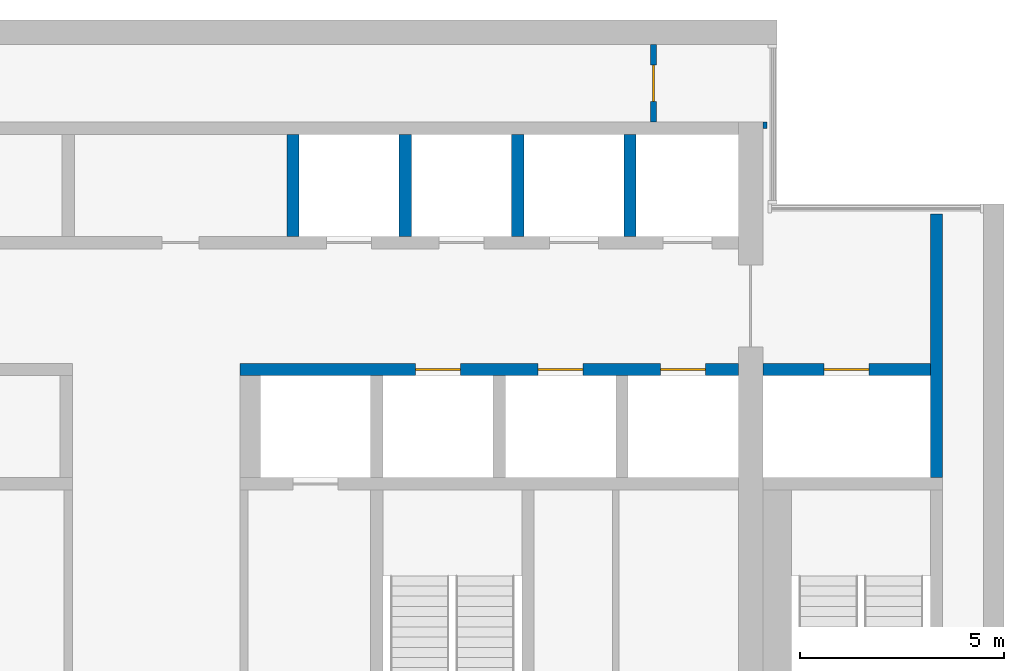
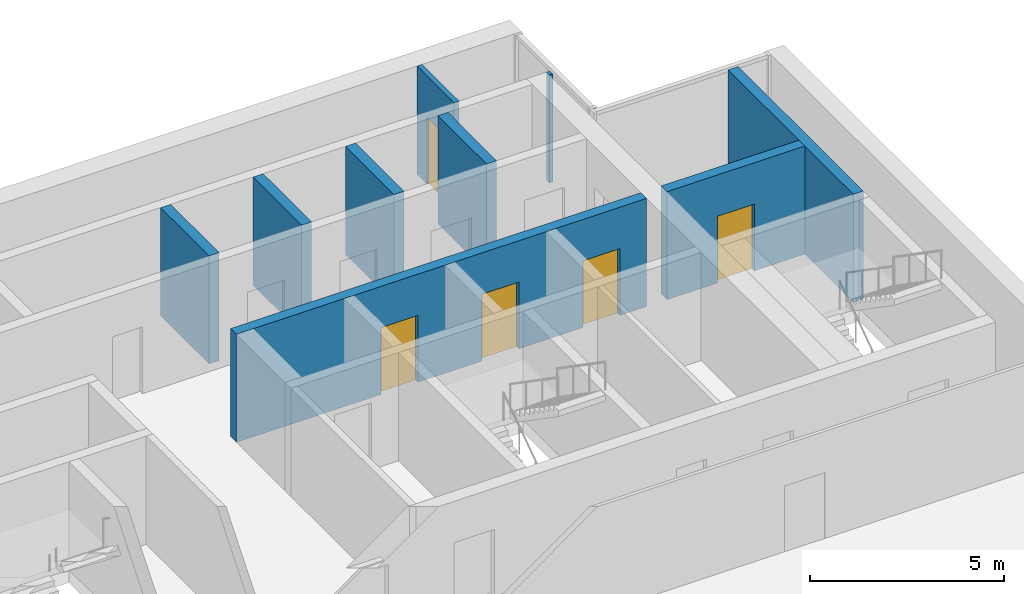
# One storey, part 11 of 14: 9 walls, 5 doors, 5 openings.
"""IFC4 building model written with IfcOpenShell, lengths in metres."""

from ifc_helpers import new_model, si_unit, direction, frame, frame_2d, origin, place, context, subcontext, project, spatial, rectangle, extrude, material, layer, layer_set, type_object, element, fill, save


model = new_model("IFC4")

# Units and contexts
model_context = context("Model", 3, precision=1e-05, world=origin(), true_north=direction((0.0, 1.0)))
body_context = subcontext(model_context, "Body", "Model", "MODEL_VIEW")
ifc_project = project(units=[si_unit("LENGTHUNIT", "METRE"), si_unit("AREAUNIT", "SQUARE_METRE"), si_unit("VOLUMEUNIT", "CUBIC_METRE"), si_unit("PLANEANGLEUNIT", "RADIAN"), si_unit("MASSUNIT", "GRAM", prefix="KILO")], contexts=[model_context])

# Site, building, storey
site_placement = place(None, origin())
site = spatial("IfcSite", under=ifc_project, at=site_placement, CompositionType="ELEMENT")
building_placement = place(site_placement, origin())
building = spatial("IfcBuilding", under=site, at=building_placement, Name="Calvaro Tower", CompositionType="ELEMENT")
storey_placement = place(building_placement, frame((0.0, 0.0, 235.550048828125)))
storey = spatial("IfcBuildingStorey", under=building, at=storey_placement, Name="L59", CompositionType="ELEMENT", Elevation=235.550048828125)

# Wall
ifc_material_1 = material(Name="Blockwork partition", Category="masonry")
ifc_layer_1 = layer(ifc_material_1, 0.10009765625)
ifc_layer_set_1 = layer_set([ifc_layer_1], Name="Blockwork partition")
wall_type_1 = type_object("IfcWallType", Name="Core partition 100 REI 120", PredefinedType="PARTITIONING", material=ifc_layer_set_1)
wall_1_placement = place(storey_placement, frame((60.14990234375, 43.35009765625, 0.0), z_axis=(0.0, 0.0, 1.0), x_axis=(0.0, 1.0, 0.0)))
element("IfcWall", 1, at=wall_1_placement, inside=storey, type_object=wall_type_1, Name="Core partition", PredefinedType="PARTITIONING", context=body_context, shape_type="SweptSolid", body=[
    extrude(rectangle(XDim=0.14990234375, YDim=0.10009765625, at=frame_2d((0.074951171875, 0.0))), origin(), (0.0, 0.0, 1.0), 3.39990234375),
])

# Wall, opening, door
ifc_material_2 = material(Name="Blockwork partition", Category="masonry")
ifc_layer_2 = layer(ifc_material_2, 0.14990234375)
ifc_layer_set_2 = layer_set([ifc_layer_2], Name="Blockwork partition")
wall_type_2 = type_object("IfcWallType", Name="Core partition 150 REI 120", PredefinedType="PARTITIONING", material=ifc_layer_set_2)
wall_2_placement = place(storey_placement, frame((57.425048828125, 45.39990234375, 0.0), z_axis=(0.0, 0.0, 1.0), x_axis=(0.0, -1.0, 0.0)))
wall_2 = element("IfcWall", 2, at=wall_2_placement, inside=storey, type_object=wall_type_2, Name="Core partition", PredefinedType="PARTITIONING", context=body_context, shape_type="SweptSolid", body=[
    extrude(rectangle(XDim=1.89990234375, YDim=0.14990234375, at=frame_2d((0.949951171875, 0.0))), origin(), (0.0, 0.0, 1.0), 3.39990234375),
])
opening_1_placement = place(wall_2_placement, frame((0.5, 0.0, 0.0)))
opening_1 = element("IfcOpeningElement", 3, at=opening_1_placement, cuts=wall_2, Name="Opening RD9E", PredefinedType="OPENING", context=body_context, shape_type="SweptSolid", body=[
    extrude(rectangle(XDim=0.89990234375, YDim=2.10009765625, at=frame_2d((0.449951171875, 1.050048828125))), frame((0.0, 0.0849609375, 0.0), z_axis=(0.0, -1.0, 0.0), x_axis=(1.0, 0.0, 0.0)), (0.0, 0.0, 1.0), 0.169921875),
])
ifc_material_3 = material(Name="Steel door set", Category="steel")
door_type_1 = type_object("IfcDoorType", Name="Room door 900 FD60", OperationType="SINGLE_SWING_LEFT", PredefinedType="DOOR", material=ifc_material_3)
door_1_placement = place(opening_1_placement, origin())
door_1 = element("IfcDoor", 4, at=door_1_placement, inside=storey, type_object=door_type_1, Name="Room door", OperationType="SINGLE_SWING_LEFT", OverallHeight=2.10009765625, OverallWidth=0.89990234375, PredefinedType="DOOR", context=body_context, shape_type="SweptSolid", body=[
    extrude(rectangle(XDim=0.89990234375, YDim=2.10009765625, at=frame_2d((0.449951171875, 1.050048828125))), frame((0.0, 0.02490234375, 0.0), z_axis=(0.0, -1.0, 0.0), x_axis=(1.0, 0.0, 0.0)), (0.0, 0.0, 1.0), 0.050048828125),
])
fill(opening_1, door_1)

# Wall
ifc_material_4 = material(Name="Concrete C40/50", Category="concrete")
ifc_layer_3 = layer(ifc_material_4, 0.300048828125)
ifc_layer_set_3 = layer_set([ifc_layer_3], Name="Concrete C40/50")
wall_type_3 = type_object("IfcWallType", Name="Core wall C40/50 300", PredefinedType="SHEAR", material=ifc_layer_set_3)
wall_3_placement = place(storey_placement, frame((64.35009765625, 34.800048828125, 0.0), z_axis=(0.0, 0.0, 1.0), x_axis=(0.0, 1.0, 0.0)))
element("IfcWall", 5, at=wall_3_placement, inside=storey, type_object=wall_type_3, Name="Core wall, boundary", PredefinedType="SHEAR", context=body_context, shape_type="SweptSolid", body=[
    extrude(rectangle(XDim=6.449951171875, YDim=0.300048828125, at=frame_2d((3.22509765625, 0.0))), origin(), (0.0, 0.0, 1.0), 3.39990234375),
])

# Wall, openings, doors
wall_4_placement = place(storey_placement, frame((47.300048828125, 37.449951171875, 0.0), z_axis=(0.0, 0.0, 1.0), x_axis=(1.0, 0.0, 0.0)))
wall_4 = element("IfcWall", 6, at=wall_4_placement, inside=storey, type_object=wall_type_3, Name="Core wall, lift shaft", PredefinedType="SHEAR", context=body_context, shape_type="SweptSolid", body=[
    extrude(rectangle(XDim=12.199951171875, YDim=0.300048828125, at=frame_2d((6.10009765625, 0.0))), origin(), (0.0, 0.0, 1.0), 3.39990234375),
])
opening_2_placement = place(wall_4_placement, frame((4.300048828125, 0.0, 0.0)))
opening_2 = element("IfcOpeningElement", 7, at=opening_2_placement, cuts=wall_4, Name="Opening HR1", PredefinedType="OPENING", context=body_context, shape_type="SweptSolid", body=[
    extrude(rectangle(XDim=1.10009765625, YDim=2.10009765625, at=frame_2d((0.550048828125, 1.050048828125))), frame((0.0, 0.159912109375, 0.0), z_axis=(0.0, -1.0, 0.0), x_axis=(1.0, 0.0, 0.0)), (0.0, 0.0, 1.0), 0.320068359375),
])
opening_3_placement = place(wall_4_placement, frame((7.300048828125, 0.0, 0.0)))
opening_3 = element("IfcOpeningElement", 8, at=opening_3_placement, cuts=wall_4, Name="Opening HR2", PredefinedType="OPENING", context=body_context, shape_type="SweptSolid", body=[
    extrude(rectangle(XDim=1.10009765625, YDim=2.10009765625, at=frame_2d((0.550048828125, 1.050048828125))), frame((0.0, 0.159912109375, 0.0), z_axis=(0.0, -1.0, 0.0), x_axis=(1.0, 0.0, 0.0)), (0.0, 0.0, 1.0), 0.320068359375),
])
opening_4_placement = place(wall_4_placement, frame((10.300048828125, 0.0, 0.0)))
opening_4 = element("IfcOpeningElement", 9, at=opening_4_placement, cuts=wall_4, Name="Opening HR3", PredefinedType="OPENING", context=body_context, shape_type="SweptSolid", body=[
    extrude(rectangle(XDim=1.10009765625, YDim=2.10009765625, at=frame_2d((0.550048828125, 1.050048828125))), frame((0.0, 0.159912109375, 0.0), z_axis=(0.0, -1.0, 0.0), x_axis=(1.0, 0.0, 0.0)), (0.0, 0.0, 1.0), 0.320068359375),
])
ifc_material_5 = material(Name="Stainless steel", Category="steel")
door_type_2 = type_object("IfcDoorType", Name="Landing door 1100 E 60", OperationType="SLIDING_TO_LEFT", PredefinedType="DOOR", material=ifc_material_5)
door_2_placement = place(opening_2_placement, origin())
door_2 = element("IfcDoor", 10, at=door_2_placement, inside=storey, type_object=door_type_2, Name="Landing door HR1", OperationType="SLIDING_TO_LEFT", OverallHeight=2.10009765625, OverallWidth=1.10009765625, PredefinedType="DOOR", context=body_context, shape_type="SweptSolid", body=[
    extrude(rectangle(XDim=1.10009765625, YDim=2.10009765625, at=frame_2d((0.550048828125, 1.050048828125))), frame((0.0, 0.02490234375, 0.0), z_axis=(0.0, -1.0, 0.0), x_axis=(1.0, 0.0, 0.0)), (0.0, 0.0, 1.0), 0.050048828125),
])
fill(opening_2, door_2)
door_3_placement = place(opening_3_placement, origin())
door_3 = element("IfcDoor", 11, at=door_3_placement, inside=storey, type_object=door_type_2, Name="Landing door HR2", OperationType="SLIDING_TO_LEFT", OverallHeight=2.10009765625, OverallWidth=1.10009765625, PredefinedType="DOOR", context=body_context, shape_type="SweptSolid", body=[
    extrude(rectangle(XDim=1.10009765625, YDim=2.10009765625, at=frame_2d((0.550048828125, 1.050048828125))), frame((0.0, 0.02490234375, 0.0), z_axis=(0.0, -1.0, 0.0), x_axis=(1.0, 0.0, 0.0)), (0.0, 0.0, 1.0), 0.050048828125),
])
fill(opening_3, door_3)
door_4_placement = place(opening_4_placement, origin())
door_4 = element("IfcDoor", 12, at=door_4_placement, inside=storey, type_object=door_type_2, Name="Landing door HR3", OperationType="SLIDING_TO_LEFT", OverallHeight=2.10009765625, OverallWidth=1.10009765625, PredefinedType="DOOR", context=body_context, shape_type="SweptSolid", body=[
    extrude(rectangle(XDim=1.10009765625, YDim=2.10009765625, at=frame_2d((0.550048828125, 1.050048828125))), frame((0.0, 0.02490234375, 0.0), z_axis=(0.0, -1.0, 0.0), x_axis=(1.0, 0.0, 0.0)), (0.0, 0.0, 1.0), 0.050048828125),
])
fill(opening_4, door_4)

# Wall, opening, door
wall_5_placement = place(storey_placement, frame((60.10009765625, 37.449951171875, 0.0), z_axis=(0.0, 0.0, 1.0), x_axis=(1.0, 0.0, 0.0)))
wall_5 = element("IfcWall", 13, at=wall_5_placement, inside=storey, type_object=wall_type_3, Name="Core wall, lift shaft", PredefinedType="SHEAR", context=body_context, shape_type="SweptSolid", body=[
    extrude(rectangle(XDim=4.099853515625, YDim=0.300048828125, at=frame_2d((2.0498046875, 0.0))), origin(), (0.0, 0.0, 1.0), 3.39990234375),
])
opening_5_placement = place(wall_5_placement, frame((1.5, 0.0, 0.0)))
opening_5 = element("IfcOpeningElement", 14, at=opening_5_placement, cuts=wall_5, Name="Opening FF3", PredefinedType="OPENING", context=body_context, shape_type="SweptSolid", body=[
    extrude(rectangle(XDim=1.10009765625, YDim=2.10009765625, at=frame_2d((0.550048828125, 1.050048828125))), frame((0.0, 0.159912109375, 0.0), z_axis=(0.0, -1.0, 0.0), x_axis=(1.0, 0.0, 0.0)), (0.0, 0.0, 1.0), 0.320068359375),
])
door_5_placement = place(opening_5_placement, origin())
door_5 = element("IfcDoor", 15, at=door_5_placement, inside=storey, type_object=door_type_2, Name="Landing door FF3", OperationType="SLIDING_TO_LEFT", OverallHeight=2.10009765625, OverallWidth=1.10009765625, PredefinedType="DOOR", context=body_context, shape_type="SweptSolid", body=[
    extrude(rectangle(XDim=1.10009765625, YDim=2.10009765625, at=frame_2d((0.550048828125, 1.050048828125))), frame((0.0, 0.02490234375, 0.0), z_axis=(0.0, -1.0, 0.0), x_axis=(1.0, 0.0, 0.0)), (0.0, 0.0, 1.0), 0.050048828125),
])
fill(opening_5, door_5)

# Walls
for number, where, z_axis, x_axis, name in (
    (16, (48.60009765625, 40.699951171875, 0.0), (0.0, 0.0, 1.0), (0.0, 1.0, 0.0), "Core wall, lift shaft"),
    (17, (51.35009765625, 40.699951171875, 0.0), (0.0, 0.0, 1.0), (0.0, 1.0, 0.0), "Core wall, lift shaft"),
    (18, (54.10009765625, 40.699951171875, 0.0), (0.0, 0.0, 1.0), (0.0, 1.0, 0.0), "Core wall, lift shaft"),
    (19, (56.85009765625, 40.699951171875, 0.0), (0.0, 0.0, 1.0), (0.0, 1.0, 0.0), "Core wall, lift shaft"),
):
    element("IfcWall", number, at=place(storey_placement, frame(where, z_axis=z_axis, x_axis=x_axis)), inside=storey, type_object=wall_type_3, Name=name, PredefinedType="SHEAR", context=body_context, shape_type="SweptSolid", body=[
        extrude(rectangle(XDim=2.5, YDim=0.300048828125, at=frame_2d((1.25, 0.0))), origin(), (0.0, 0.0, 1.0), 3.39990234375),
    ])

save(model, "model.ifc")
